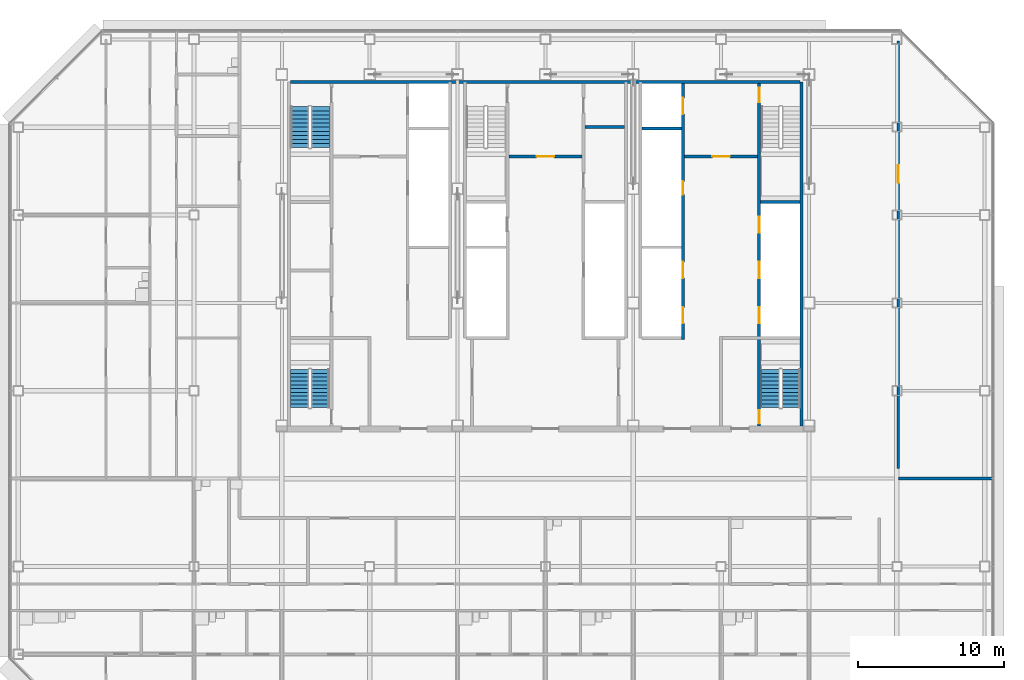
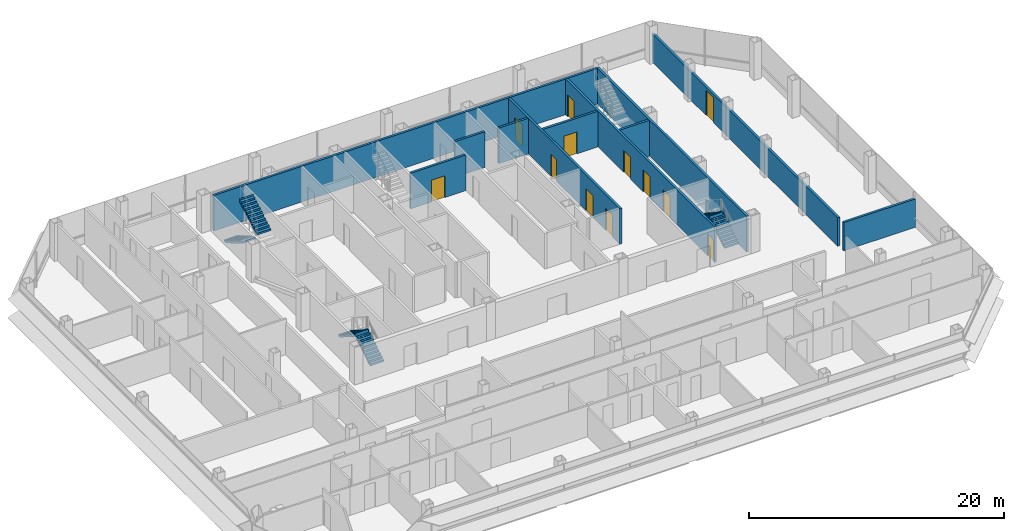
# One storey, part 24 of 27: 12 doors, 11 walls, 6 stair flights, 12 openings, 3 elements without a shape of their own.
"""IFC4 building model written with IfcOpenShell, lengths in metres."""

from ifc_helpers import new_model, si_unit, direction, frame, frame_2d, origin, place, context, subcontext, project, spatial, polyline, rectangle, outline, extrude, material, layer, layer_set, type_object, element, fill, aggregate, save


model = new_model("IFC4")

# Units and contexts
model_context = context("Model", 3, precision=1e-05, world=origin(), true_north=direction((0.0, 1.0)))
body_context = subcontext(model_context, "Body", "Model", "MODEL_VIEW")
ifc_project = project(units=[si_unit("LENGTHUNIT", "METRE"), si_unit("AREAUNIT", "SQUARE_METRE"), si_unit("VOLUMEUNIT", "CUBIC_METRE"), si_unit("PLANEANGLEUNIT", "RADIAN"), si_unit("MASSUNIT", "GRAM", prefix="KILO")], contexts=[model_context])

# Site, building, storey
site_placement = place(None, origin())
site = spatial("IfcSite", under=ifc_project, at=site_placement, CompositionType="ELEMENT")
building_placement = place(site_placement, origin())
building = spatial("IfcBuilding", under=site, at=building_placement, Name="Sorahane Residences", CompositionType="ELEMENT")
storey_placement = place(building_placement, frame((0.0, 0.0, 195.60009765625)))
storey = spatial("IfcBuildingStorey", under=building, at=storey_placement, Name="L45", CompositionType="ELEMENT", Elevation=195.60009765625)

# Walls
ifc_material_1 = material(Name="Concrete C30", Category="concrete")
ifc_layer_1 = layer(ifc_material_1, 0.199951171875)
ifc_layer_set_1 = layer_set([ifc_layer_1], Name="Core face wall 200 EI 180")
wall_type_1 = type_object("IfcWallType", Name="Core face wall 200 EI 180", PredefinedType="SOLIDWALL", material=ifc_layer_set_1)
wall_1_placement = place(storey_placement, frame((41.5, 21.60009765625, 0.0), z_axis=(0.0, 0.0, 1.0), x_axis=(0.0, 1.0, 0.0)))
element("IfcWall", 1, at=wall_1_placement, inside=storey, type_object=wall_type_1, Name="L45 core face wall", PredefinedType="SOLIDWALL", context=body_context, shape_type="SweptSolid", body=[
    extrude(rectangle(XDim=23.5, YDim=0.199951171875, at=frame_2d((11.75, 0.0))), origin(), (0.0, 0.0, 1.0), 3.419921875),
])
wall_2_placement = place(storey_placement, frame((6.60009765625, 45.10009765625, 0.0), z_axis=(0.0, 0.0, 1.0), x_axis=(1.0, 0.0, 0.0)))
element("IfcWall", 2, at=wall_2_placement, inside=storey, type_object=wall_type_1, Name="L45 core face wall", PredefinedType="SOLIDWALL", context=body_context, shape_type="SweptSolid", body=[
    extrude(rectangle(XDim=34.7998046875, YDim=0.199951171875, at=frame_2d((17.39990234375, 0.0))), origin(), (0.0, 0.0, 1.0), 3.419921875),
])

# Wall, opening, door
ifc_material_2 = material(Name="Concrete blockwork C20 wall", Category="masonry")
ifc_layer_2 = layer(ifc_material_2, 0.199951171875)
ifc_layer_set_2 = layer_set([ifc_layer_2], Name="Corridor wall 200 EI 120")
wall_type_2 = type_object("IfcWallType", Name="Corridor wall 200 EI 120", PredefinedType="SOLIDWALL", material=ifc_layer_set_2)
wall_3_placement = place(storey_placement, frame((48.10009765625, 18.699951171875, 0.0), z_axis=(0.0, 0.0, 1.0), x_axis=(0.0, 1.0, 0.0)))
wall_3 = element("IfcWall", 3, at=wall_3_placement, inside=storey, type_object=wall_type_2, Name="L45 corridor wall", PredefinedType="SOLIDWALL", context=body_context, shape_type="SweptSolid", body=[
    extrude(rectangle(XDim=29.199951171875, YDim=0.199951171875, at=frame_2d((14.60009765625, 0.0))), origin(), (0.0, 0.0, 1.0), 2.719970703125),
])
opening_1_placement = place(wall_3_placement, frame((19.5, 0.0, 0.0)))
opening_1 = element("IfcOpeningElement", 4, at=opening_1_placement, cuts=wall_3, Name="Opening L45-47", PredefinedType="OPENING", context=body_context, shape_type="SweptSolid", body=[
    extrude(rectangle(XDim=1.199951171875, YDim=2.39990234375, at=frame_2d((0.60009765625, 1.199951171875))), frame((0.0, 0.10986328125, 0.0), z_axis=(0.0, -1.0, 0.0), x_axis=(1.0, 0.0, 0.0)), (0.0, 0.0, 1.0), 0.219970703125),
])
ifc_material_3 = material(Name="Steel", Category="steel")
door_type_1 = type_object("IfcDoorType", Name="Lobby door 1200x2400 FD60", OperationType="NOTDEFINED", PredefinedType="DOOR", material=ifc_material_3)
door_1_placement = place(opening_1_placement, frame((1.199951171875, 0.0, 0.0), z_axis=(0.0, 0.0, 1.0), x_axis=(-1.0, 0.0, 0.0)))
door_1 = element("IfcDoor", 5, at=door_1_placement, inside=storey, type_object=door_type_1, Name="Lobby door L45-47", OperationType="SINGLE_SWING_RIGHT", OverallHeight=2.39990234375, OverallWidth=1.199951171875, PredefinedType="DOOR", context=body_context, shape_type="SweptSolid", body=[
    extrude(rectangle(XDim=1.199951171875, YDim=2.39990234375, at=frame_2d((0.60009765625, 1.199951171875))), frame((0.0, 0.02490234375, 0.0), z_axis=(0.0, -1.0, 0.0), x_axis=(1.0, 0.0, 0.0)), (0.0, 0.0, 1.0), 0.050048828125),
])
fill(opening_1, door_1)

# Wall
wall_4_placement = place(storey_placement, frame((48.10009765625, 18.0, 0.0), z_axis=(0.0, 0.0, 1.0), x_axis=(1.0, 0.0, 0.0)))
element("IfcWall", 6, at=wall_4_placement, inside=storey, type_object=wall_type_2, Name="L45 corridor wall", PredefinedType="SOLIDWALL", context=body_context, shape_type="SweptSolid", body=[
    extrude(rectangle(XDim=6.5, YDim=0.199951171875, at=frame_2d((3.25, 0.0))), origin(), (0.0, 0.0, 1.0), 2.719970703125),
])

# Wall, opening, door
ifc_material_4 = material(Name="Concrete C30", Category="concrete")
ifc_layer_3 = layer(ifc_material_4, 0.199951171875)
ifc_layer_set_3 = layer_set([ifc_layer_3], Name="Front room wall 200 EI 120")
wall_type_3 = type_object("IfcWallType", Name="Front room wall 200 EI 120", PredefinedType="PARTITIONING", material=ifc_layer_set_3)
wall_5_placement = place(storey_placement, frame((21.5, 40.0, 0.0), z_axis=(0.0, 0.0, 1.0), x_axis=(1.0, 0.0, 0.0)))
wall_5 = element("IfcWall", 7, at=wall_5_placement, inside=storey, type_object=wall_type_3, Name="L45 front room wall", PredefinedType="PARTITIONING", context=body_context, shape_type="SweptSolid", body=[
    extrude(rectangle(XDim=5.0, YDim=0.199951171875, at=frame_2d((2.5, 0.0))), origin(), (0.0, 0.0, 1.0), 3.419921875),
])
opening_2_placement = place(wall_5_placement, frame((1.89990234375, 0.0, 0.0)))
opening_2 = element("IfcOpeningElement", 8, at=opening_2_placement, cuts=wall_5, Name="Opening L45-C09", PredefinedType="OPENING", context=body_context, shape_type="SweptSolid", body=[
    extrude(rectangle(XDim=1.199951171875, YDim=2.10009765625, at=frame_2d((0.60009765625, 1.050048828125))), frame((0.0, 0.10986328125, 0.0), z_axis=(0.0, -1.0, 0.0), x_axis=(1.0, 0.0, 0.0)), (0.0, 0.0, 1.0), 0.219970703125),
])
ifc_material_5 = material(Name="Steel", Category="steel")
door_type_2 = type_object("IfcDoorType", Name="Front room door 1200x2100 FD120", OperationType="NOTDEFINED", PredefinedType="DOOR", material=ifc_material_5)
door_2_placement = place(opening_2_placement, frame((1.199951171875, 0.0, 0.0), z_axis=(0.0, 0.0, 1.0), x_axis=(-1.0, 0.0, 0.0)))
door_2 = element("IfcDoor", 9, at=door_2_placement, inside=storey, type_object=door_type_2, Name="Front room door Stair S3 vestibule L45", OperationType="DOUBLE_DOOR_SINGLE_SWING", OverallHeight=2.10009765625, OverallWidth=1.199951171875, PredefinedType="DOOR", context=body_context, shape_type="SweptSolid", body=[
    extrude(rectangle(XDim=1.199951171875, YDim=2.10009765625, at=frame_2d((0.60009765625, 1.050048828125))), frame((0.0, 0.02490234375, 0.0), z_axis=(0.0, -1.0, 0.0), x_axis=(1.0, 0.0, 0.0)), (0.0, 0.0, 1.0), 0.050048828125),
])
fill(opening_2, door_2)

wall_6_placement = place(storey_placement, frame((33.5, 40.0, 0.0), z_axis=(0.0, 0.0, 1.0), x_axis=(1.0, 0.0, 0.0)))
wall_6 = element("IfcWall", 10, at=wall_6_placement, inside=storey, type_object=wall_type_3, Name="L45 front room wall", PredefinedType="PARTITIONING", context=body_context, shape_type="SweptSolid", body=[
    extrude(rectangle(XDim=5.0, YDim=0.199951171875, at=frame_2d((2.5, 0.0))), origin(), (0.0, 0.0, 1.0), 3.419921875),
])
opening_3_placement = place(wall_6_placement, frame((1.89990234375, 0.0, 0.0)))
opening_3 = element("IfcOpeningElement", 11, at=opening_3_placement, cuts=wall_6, Name="Opening L45-C10", PredefinedType="OPENING", context=body_context, shape_type="SweptSolid", body=[
    extrude(rectangle(XDim=1.199951171875, YDim=2.10009765625, at=frame_2d((0.60009765625, 1.050048828125))), frame((0.0, 0.10986328125, 0.0), z_axis=(0.0, -1.0, 0.0), x_axis=(1.0, 0.0, 0.0)), (0.0, 0.0, 1.0), 0.219970703125),
])
door_3_placement = place(opening_3_placement, frame((1.199951171875, 0.0, 0.0), z_axis=(0.0, 0.0, 1.0), x_axis=(-1.0, 0.0, 0.0)))
door_3 = element("IfcDoor", 12, at=door_3_placement, inside=storey, type_object=door_type_2, Name="Front room door Firefighting lobby FF2 front room L45", OperationType="DOUBLE_DOOR_SINGLE_SWING", OverallHeight=2.10009765625, OverallWidth=1.199951171875, PredefinedType="DOOR", context=body_context, shape_type="SweptSolid", body=[
    extrude(rectangle(XDim=1.199951171875, YDim=2.10009765625, at=frame_2d((0.60009765625, 1.050048828125))), frame((0.0, 0.02490234375, 0.0), z_axis=(0.0, -1.0, 0.0), x_axis=(1.0, 0.0, 0.0)), (0.0, 0.0, 1.0), 0.050048828125),
])
fill(opening_3, door_3)

# Wall, openings, doors
ifc_material_6 = material(Name="Concrete C30", Category="concrete")
ifc_layer_4 = layer(ifc_material_6, 0.199951171875)
ifc_layer_set_4 = layer_set([ifc_layer_4], Name="Lift shaft wall 200 EI 120")
wall_type_4 = type_object("IfcWallType", Name="Lift shaft wall 200 EI 120", PredefinedType="SOLIDWALL", material=ifc_layer_set_4)
wall_7_placement = place(storey_placement, frame((33.39990234375, 27.5, 0.0), z_axis=(0.0, 0.0, 1.0), x_axis=(0.0, 1.0, 0.0)))
wall_7 = element("IfcWall", 13, at=wall_7_placement, inside=storey, type_object=wall_type_4, Name="L45 lift shaft wall", PredefinedType="SOLIDWALL", context=body_context, shape_type="SweptSolid", body=[
    extrude(rectangle(XDim=17.5, YDim=0.199951171875, at=frame_2d((8.75, 0.0))), origin(), (0.0, 0.0, 1.0), 3.419921875),
])
opening_4_placement = place(wall_7_placement, frame((1.10009765625, 0.0, 0.0)))
opening_4 = element("IfcOpeningElement", 14, at=opening_4_placement, cuts=wall_7, Name="Opening L45-C14", PredefinedType="OPENING", context=body_context, shape_type="SweptSolid", body=[
    extrude(rectangle(XDim=1.10009765625, YDim=2.10009765625, at=frame_2d((0.550048828125, 1.050048828125))), frame((0.0, 0.10986328125, 0.0), z_axis=(0.0, -1.0, 0.0), x_axis=(1.0, 0.0, 0.0)), (0.0, 0.0, 1.0), 0.219970703125),
])
opening_5_placement = place(wall_7_placement, frame((4.199951171875, 0.0, 0.0)))
opening_5 = element("IfcOpeningElement", 15, at=opening_5_placement, cuts=wall_7, Name="Opening L45-C15", PredefinedType="OPENING", context=body_context, shape_type="SweptSolid", body=[
    extrude(rectangle(XDim=1.10009765625, YDim=2.10009765625, at=frame_2d((0.550048828125, 1.050048828125))), frame((0.0, 0.10986328125, 0.0), z_axis=(0.0, -1.0, 0.0), x_axis=(1.0, 0.0, 0.0)), (0.0, 0.0, 1.0), 0.219970703125),
])
opening_6_placement = place(wall_7_placement, frame((15.39990234375, 0.0, 0.0)))
opening_6 = element("IfcOpeningElement", 16, at=opening_6_placement, cuts=wall_7, Name="Opening L45-C16", PredefinedType="OPENING", context=body_context, shape_type="SweptSolid", body=[
    extrude(rectangle(XDim=1.10009765625, YDim=2.10009765625, at=frame_2d((0.550048828125, 1.050048828125))), frame((0.0, 0.10986328125, 0.0), z_axis=(0.0, -1.0, 0.0), x_axis=(1.0, 0.0, 0.0)), (0.0, 0.0, 1.0), 0.219970703125),
])
opening_7_placement = place(wall_7_placement, frame((9.89990234375, 0.0, 0.0)))
opening_7 = element("IfcOpeningElement", 17, at=opening_7_placement, cuts=wall_7, Name="Opening L45-C27", PredefinedType="OPENING", context=body_context, shape_type="SweptSolid", body=[
    extrude(rectangle(XDim=0.89990234375, YDim=2.10009765625, at=frame_2d((0.449951171875, 1.050048828125))), frame((0.0, 0.10986328125, 0.0), z_axis=(0.0, -1.0, 0.0), x_axis=(1.0, 0.0, 0.0)), (0.0, 0.0, 1.0), 0.219970703125),
])
ifc_material_7 = material(Name="Aluminium and stainless steel", Category="steel")
door_type_3 = type_object("IfcDoorType", Name="Lift landing door 1100x2100 E 60", OperationType="NOTDEFINED", PredefinedType="DOOR", material=ifc_material_7)
door_4_placement = place(opening_4_placement, origin())
door_4 = element("IfcDoor", 18, at=door_4_placement, inside=storey, type_object=door_type_3, Name="Lift landing door HR4 L45", OperationType="DOUBLE_DOOR_SLIDING", OverallHeight=2.10009765625, OverallWidth=1.10009765625, PredefinedType="DOOR", context=body_context, shape_type="SweptSolid", body=[
    extrude(rectangle(XDim=1.10009765625, YDim=2.10009765625, at=frame_2d((0.550048828125, 1.050048828125))), frame((0.0, 0.02490234375, 0.0), z_axis=(0.0, -1.0, 0.0), x_axis=(1.0, 0.0, 0.0)), (0.0, 0.0, 1.0), 0.050048828125),
])
fill(opening_4, door_4)
door_5_placement = place(opening_5_placement, origin())
door_5 = element("IfcDoor", 19, at=door_5_placement, inside=storey, type_object=door_type_3, Name="Lift landing door HR5 L45", OperationType="DOUBLE_DOOR_SLIDING", OverallHeight=2.10009765625, OverallWidth=1.10009765625, PredefinedType="DOOR", context=body_context, shape_type="SweptSolid", body=[
    extrude(rectangle(XDim=1.10009765625, YDim=2.10009765625, at=frame_2d((0.550048828125, 1.050048828125))), frame((0.0, 0.02490234375, 0.0), z_axis=(0.0, -1.0, 0.0), x_axis=(1.0, 0.0, 0.0)), (0.0, 0.0, 1.0), 0.050048828125),
])
fill(opening_5, door_5)
door_6_placement = place(opening_6_placement, origin())
door_6 = element("IfcDoor", 20, at=door_6_placement, inside=storey, type_object=door_type_3, Name="Lift landing door FF2 L45", OperationType="DOUBLE_DOOR_SLIDING", OverallHeight=2.10009765625, OverallWidth=1.10009765625, PredefinedType="DOOR", context=body_context, shape_type="SweptSolid", body=[
    extrude(rectangle(XDim=1.10009765625, YDim=2.10009765625, at=frame_2d((0.550048828125, 1.050048828125))), frame((0.0, 0.02490234375, 0.0), z_axis=(0.0, -1.0, 0.0), x_axis=(1.0, 0.0, 0.0)), (0.0, 0.0, 1.0), 0.050048828125),
])
fill(opening_6, door_6)
ifc_material_8 = material(Name="Steel", Category="steel")
door_type_4 = type_object("IfcDoorType", Name="Riser door 900x2100 FD120", OperationType="NOTDEFINED", PredefinedType="DOOR", material=ifc_material_8)
door_7_placement = place(opening_7_placement, frame((0.89990234375, 0.0, 0.0), z_axis=(0.0, 0.0, 1.0), x_axis=(-1.0, 0.0, 0.0)))
door_7 = element("IfcDoor", 21, at=door_7_placement, inside=storey, type_object=door_type_4, Name="Riser door R2 L45", OperationType="SINGLE_SWING_LEFT", OverallHeight=2.10009765625, OverallWidth=0.89990234375, PredefinedType="DOOR", context=body_context, shape_type="SweptSolid", body=[
    extrude(rectangle(XDim=0.89990234375, YDim=2.10009765625, at=frame_2d((0.449951171875, 1.050048828125))), frame((0.0, 0.02490234375, 0.0), z_axis=(0.0, -1.0, 0.0), x_axis=(1.0, 0.0, 0.0)), (0.0, 0.0, 1.0), 0.050048828125),
])
fill(opening_7, door_7)

# Walls
wall_8_placement = place(storey_placement, frame((30.60009765625, 41.89990234375, 0.0), z_axis=(0.0, 0.0, 1.0), x_axis=(1.0, 0.0, 0.0)))
element("IfcWall", 22, at=wall_8_placement, inside=storey, type_object=wall_type_4, Name="L45 lift shaft wall", PredefinedType="SOLIDWALL", context=body_context, shape_type="SweptSolid", body=[
    extrude(rectangle(XDim=2.699951171875, YDim=0.199951171875, at=frame_2d((1.35009765625, 0.0))), origin(), (0.0, 0.0, 1.0), 3.419921875),
])
ifc_material_9 = material(Name="Concrete C30", Category="concrete")
ifc_layer_5 = layer(ifc_material_9, 0.199951171875)
ifc_layer_set_5 = layer_set([ifc_layer_5], Name="Service room partition 200 EI 60")
wall_type_5 = type_object("IfcWallType", Name="Service room partition 200 EI 60", PredefinedType="PARTITIONING", material=ifc_layer_set_5)
wall_9_placement = place(storey_placement, frame((26.699951171875, 42.0, 0.0), z_axis=(0.0, 0.0, 1.0), x_axis=(1.0, 0.0, 0.0)))
element("IfcWall", 23, at=wall_9_placement, inside=storey, type_object=wall_type_5, Name="L45 service room wall", PredefinedType="PARTITIONING", context=body_context, shape_type="SweptSolid", body=[
    extrude(rectangle(XDim=2.699951171875, YDim=0.199951171875, at=frame_2d((1.35009765625, 0.0))), origin(), (0.0, 0.0, 1.0), 3.419921875),
])

# Wall, openings, doors
ifc_material_10 = material(Name="Concrete C30", Category="concrete")
ifc_layer_6 = layer(ifc_material_10, 0.199951171875)
ifc_layer_set_6 = layer_set([ifc_layer_6], Name="Stair enclosure wall 200 EI 120")
wall_type_6 = type_object("IfcWallType", Name="Stair enclosure wall 200 EI 120", PredefinedType="SOLIDWALL", material=ifc_layer_set_6)
wall_10_placement = place(storey_placement, frame((38.60009765625, 21.60009765625, 0.0), z_axis=(0.0, 0.0, 1.0), x_axis=(0.0, 1.0, 0.0)))
wall_10 = element("IfcWall", 24, at=wall_10_placement, inside=storey, type_object=wall_type_6, Name="L45 stair enclosure wall", PredefinedType="SOLIDWALL", context=body_context, shape_type="SweptSolid", body=[
    extrude(rectangle(XDim=23.39990234375, YDim=0.199951171875, at=frame_2d((11.699951171875, 0.0))), origin(), (0.0, 0.0, 1.0), 3.419921875),
])
opening_8_placement = place(wall_10_placement, frame((7.0, 0.0, 0.0)))
opening_8 = element("IfcOpeningElement", 25, at=opening_8_placement, cuts=wall_10, Name="Opening L45-C11", PredefinedType="OPENING", context=body_context, shape_type="SweptSolid", body=[
    extrude(rectangle(XDim=1.10009765625, YDim=2.10009765625, at=frame_2d((0.550048828125, 1.050048828125))), frame((0.0, 0.10986328125, 0.0), z_axis=(0.0, -1.0, 0.0), x_axis=(1.0, 0.0, 0.0)), (0.0, 0.0, 1.0), 0.219970703125),
])
opening_9_placement = place(wall_10_placement, frame((10.10009765625, 0.0, 0.0)))
opening_9 = element("IfcOpeningElement", 26, at=opening_9_placement, cuts=wall_10, Name="Opening L45-C12", PredefinedType="OPENING", context=body_context, shape_type="SweptSolid", body=[
    extrude(rectangle(XDim=1.10009765625, YDim=2.10009765625, at=frame_2d((0.550048828125, 1.050048828125))), frame((0.0, 0.10986328125, 0.0), z_axis=(0.0, -1.0, 0.0), x_axis=(1.0, 0.0, 0.0)), (0.0, 0.0, 1.0), 0.219970703125),
])
opening_10_placement = place(wall_10_placement, frame((13.199951171875, 0.0, 0.0)))
opening_10 = element("IfcOpeningElement", 27, at=opening_10_placement, cuts=wall_10, Name="Opening L45-C13", PredefinedType="OPENING", context=body_context, shape_type="SweptSolid", body=[
    extrude(rectangle(XDim=1.10009765625, YDim=2.10009765625, at=frame_2d((0.550048828125, 1.050048828125))), frame((0.0, 0.10986328125, 0.0), z_axis=(0.0, -1.0, 0.0), x_axis=(1.0, 0.0, 0.0)), (0.0, 0.0, 1.0), 0.219970703125),
])
opening_11_placement = place(wall_10_placement, frame((22.10009765625, 0.0, 0.0)))
opening_11 = element("IfcOpeningElement", 28, at=opening_11_placement, cuts=wall_10, Name="Opening L45-C22", PredefinedType="OPENING", context=body_context, shape_type="SweptSolid", body=[
    extrude(rectangle(XDim=1.0, YDim=2.10009765625, at=frame_2d((0.5, 1.050048828125))), frame((0.0, 0.10986328125, 0.0), z_axis=(0.0, -1.0, 0.0), x_axis=(1.0, 0.0, 0.0)), (0.0, 0.0, 1.0), 0.219970703125),
])
opening_12_placement = place(wall_10_placement, frame((0.175048828125, 0.0, 0.0)))
opening_12 = element("IfcOpeningElement", 29, at=opening_12_placement, cuts=wall_10, Name="Opening L45-C25", PredefinedType="OPENING", context=body_context, shape_type="SweptSolid", body=[
    extrude(rectangle(XDim=0.89990234375, YDim=2.10009765625, at=frame_2d((0.449951171875, 1.050048828125))), frame((0.0, 0.10986328125, 0.0), z_axis=(0.0, -1.0, 0.0), x_axis=(1.0, 0.0, 0.0)), (0.0, 0.0, 1.0), 0.219970703125),
])
door_8_placement = place(opening_8_placement, origin())
door_8 = element("IfcDoor", 30, at=door_8_placement, inside=storey, type_object=door_type_3, Name="Lift landing door HR1 L45", OperationType="DOUBLE_DOOR_SLIDING", OverallHeight=2.10009765625, OverallWidth=1.10009765625, PredefinedType="DOOR", context=body_context, shape_type="SweptSolid", body=[
    extrude(rectangle(XDim=1.10009765625, YDim=2.10009765625, at=frame_2d((0.550048828125, 1.050048828125))), frame((0.0, 0.02490234375, 0.0), z_axis=(0.0, -1.0, 0.0), x_axis=(1.0, 0.0, 0.0)), (0.0, 0.0, 1.0), 0.050048828125),
])
fill(opening_8, door_8)
door_9_placement = place(opening_9_placement, origin())
door_9 = element("IfcDoor", 31, at=door_9_placement, inside=storey, type_object=door_type_3, Name="Lift landing door HR2 L45", OperationType="DOUBLE_DOOR_SLIDING", OverallHeight=2.10009765625, OverallWidth=1.10009765625, PredefinedType="DOOR", context=body_context, shape_type="SweptSolid", body=[
    extrude(rectangle(XDim=1.10009765625, YDim=2.10009765625, at=frame_2d((0.550048828125, 1.050048828125))), frame((0.0, 0.02490234375, 0.0), z_axis=(0.0, -1.0, 0.0), x_axis=(1.0, 0.0, 0.0)), (0.0, 0.0, 1.0), 0.050048828125),
])
fill(opening_9, door_9)
door_10_placement = place(opening_10_placement, origin())
door_10 = element("IfcDoor", 32, at=door_10_placement, inside=storey, type_object=door_type_3, Name="Lift landing door HR3 L45", OperationType="DOUBLE_DOOR_SLIDING", OverallHeight=2.10009765625, OverallWidth=1.10009765625, PredefinedType="DOOR", context=body_context, shape_type="SweptSolid", body=[
    extrude(rectangle(XDim=1.10009765625, YDim=2.10009765625, at=frame_2d((0.550048828125, 1.050048828125))), frame((0.0, 0.02490234375, 0.0), z_axis=(0.0, -1.0, 0.0), x_axis=(1.0, 0.0, 0.0)), (0.0, 0.0, 1.0), 0.050048828125),
])
fill(opening_10, door_10)
ifc_material_11 = material(Name="Steel", Category="steel")
door_type_5 = type_object("IfcDoorType", Name="Stair door 1000x2100 FD120", OperationType="NOTDEFINED", PredefinedType="DOOR", material=ifc_material_11)
door_11_placement = place(opening_11_placement, frame((1.0, 0.0, 0.0), z_axis=(0.0, 0.0, 1.0), x_axis=(-1.0, 0.0, 0.0)))
door_11 = element("IfcDoor", 33, at=door_11_placement, inside=storey, type_object=door_type_5, Name="Stair door S2 L45", OperationType="SINGLE_SWING_LEFT", OverallHeight=2.10009765625, OverallWidth=1.0, PredefinedType="DOOR", context=body_context, shape_type="SweptSolid", body=[
    extrude(rectangle(XDim=1.0, YDim=2.10009765625, at=frame_2d((0.5, 1.050048828125))), frame((0.0, 0.02490234375, 0.0), z_axis=(0.0, -1.0, 0.0), x_axis=(1.0, 0.0, 0.0)), (0.0, 0.0, 1.0), 0.050048828125),
])
fill(opening_11, door_11)
ifc_material_12 = material(Name="Steel", Category="steel")
door_type_6 = type_object("IfcDoorType", Name="Stair door 900x2100 FD120", OperationType="NOTDEFINED", PredefinedType="DOOR", material=ifc_material_12)
door_12_placement = place(opening_12_placement, frame((0.89990234375, 0.0, 0.0), z_axis=(0.0, 0.0, 1.0), x_axis=(-1.0, 0.0, 0.0)))
door_12 = element("IfcDoor", 34, at=door_12_placement, inside=storey, type_object=door_type_6, Name="Stair door S5 L45", OperationType="SINGLE_SWING_LEFT", OverallHeight=2.10009765625, OverallWidth=0.89990234375, PredefinedType="DOOR", context=body_context, shape_type="SweptSolid", body=[
    extrude(rectangle(XDim=0.89990234375, YDim=2.10009765625, at=frame_2d((0.449951171875, 1.050048828125))), frame((0.0, 0.02490234375, 0.0), z_axis=(0.0, -1.0, 0.0), x_axis=(1.0, 0.0, 0.0)), (0.0, 0.0, 1.0), 0.050048828125),
])
fill(opening_12, door_12)

# Wall
wall_11_placement = place(storey_placement, frame((38.699951171875, 36.89990234375, 0.0), z_axis=(0.0, 0.0, 1.0), x_axis=(1.0, 0.0, 0.0)))
element("IfcWall", 35, at=wall_11_placement, inside=storey, type_object=wall_type_6, Name="L45 stair enclosure wall", PredefinedType="SOLIDWALL", context=body_context, shape_type="SweptSolid", body=[
    extrude(rectangle(XDim=2.699951171875, YDim=0.199951171875, at=frame_2d((1.35009765625, 0.0))), origin(), (0.0, 0.0, 1.0), 3.419921875),
])

# Stair, stair flights
ifc_material_13 = material(Name="Concrete C40", Category="concrete")
stair_type = type_object("IfcStairType", Name="Dog-leg stair 1250 Concrete C40", PredefinedType="HALF_TURN_STAIR", material=ifc_material_13)
stair_1_placement = place(storey_placement, origin())
stair_1 = element("IfcStair", 36, at=stair_1_placement, inside=storey, type_object=stair_type, Name="L45 Stair S1", PredefinedType="HALF_TURN_STAIR")
ifc_material_14 = material(Name="Concrete C40", Category="concrete")
stair_flight_type = type_object("IfcStairFlightType", Name="Stair flight 1250 Concrete C40", PredefinedType="STRAIGHT", material=ifc_material_14)
stair_flight_1_placement = place(storey_placement, frame((7.22509765625, 43.39990234375, 0.0), z_axis=(0.0, 0.0, 1.0), x_axis=(0.0, -1.0, 0.0)))
stair_flight_1 = element("IfcStairFlight", 37, at=stair_flight_1_placement, type_object=stair_flight_type, Name="S1 flight 1", NumberOfRisers=11, NumberOfTreads=10, PredefinedType="STRAIGHT", RiserHeight=0.163636364, TreadLength=0.28, context=body_context, shape_type="SweptSolid", body=[
    extrude(outline(polyline([(-0.00146484375, 0.0), (-0.00146484375, 0.16357421875), (0.0, 0.16357421875), (0.280029296875, 0.16357421875), (0.280029296875, 0.327392578125), (0.56005859375, 0.327392578125), (0.56005859375, 0.490966796875), (0.840087890625, 0.490966796875), (0.840087890625, 0.654541015625), (1.1201171875, 0.654541015625), (1.1201171875, 0.818115234375), (1.39990234375, 0.818115234375), (1.39990234375, 0.98193359375), (1.679931640625, 0.98193359375), (1.679931640625, 1.1455078125), (1.9599609375, 1.1455078125), (1.9599609375, 1.30908203125), (2.239990234375, 1.30908203125), (2.239990234375, 1.47265625), (2.52001953125, 1.47265625), (2.52001953125, 1.636474609375), (2.800048828125, 1.636474609375), (2.800048828125, 1.800048828125), (2.800048828125, 1.462646484375), (2.59130859375, 1.3408203125), (2.3828125, 1.218994140625), (2.17431640625, 1.09716796875), (1.965576171875, 0.97509765625), (1.757080078125, 0.853271484375), (1.548583984375, 0.7314453125), (1.340087890625, 0.609375), (1.13134765625, 0.487548828125), (0.9228515625, 0.36572265625), (0.71435546875, 0.243896484375), (0.505615234375, 0.121826171875), (0.297119140625, 0.0), (-0.00146484375, 0.0)])), frame((0.0, 0.625, 0.0), z_axis=(0.0, -1.0, 0.0), x_axis=(1.0, 0.0, 0.0)), (0.0, 0.0, 1.0), 1.25),
])
stair_flight_2_placement = place(storey_placement, frame((8.625, 40.60009765625, 1.7998046875), z_axis=(0.0, 0.0, 1.0), x_axis=(0.0, 1.0, 0.0)))
stair_flight_2 = element("IfcStairFlight", 38, at=stair_flight_2_placement, type_object=stair_flight_type, Name="S1 flight 2", NumberOfRisers=11, NumberOfTreads=10, PredefinedType="STRAIGHT", RiserHeight=0.163636364, TreadLength=0.28, context=body_context, shape_type="SweptSolid", body=[
    extrude(outline(polyline([(0.0, 0.0), (0.0, 0.16357421875), (0.280029296875, 0.16357421875), (0.280029296875, 0.327392578125), (0.56005859375, 0.327392578125), (0.56005859375, 0.490966796875), (0.840087890625, 0.490966796875), (0.840087890625, 0.654541015625), (1.1201171875, 0.654541015625), (1.1201171875, 0.818115234375), (1.39990234375, 0.818115234375), (1.39990234375, 0.98193359375), (1.679931640625, 0.98193359375), (1.679931640625, 1.1455078125), (1.9599609375, 1.1455078125), (1.9599609375, 1.30908203125), (2.239990234375, 1.30908203125), (2.239990234375, 1.47265625), (2.52001953125, 1.47265625), (2.52001953125, 1.636474609375), (2.800048828125, 1.636474609375), (2.800048828125, 1.800048828125), (2.801513671875, 1.800048828125), (2.801513671875, 1.462646484375), (2.5927734375, 1.3408203125), (2.384033203125, 1.218994140625), (2.17529296875, 1.09716796875), (1.966796875, 0.97509765625), (1.758056640625, 0.853271484375), (1.54931640625, 0.7314453125), (1.340576171875, 0.609375), (1.1318359375, 0.487548828125), (0.923095703125, 0.36572265625), (0.714599609375, 0.243896484375), (0.505859375, 0.121826171875), (0.297119140625, 0.0), (0.0, 0.0)])), frame((0.0, 0.625, 0.0), z_axis=(0.0, -1.0, 0.0), x_axis=(1.0, 0.0, 0.0)), (0.0, 0.0, 1.0), 1.25),
])
aggregate(stair_1, [stair_flight_1, stair_flight_2])

stair_2_placement = place(storey_placement, origin())
stair_2 = element("IfcStair", 39, at=stair_2_placement, inside=storey, type_object=stair_type, Name="L45 Stair S4", PredefinedType="HALF_TURN_STAIR")
stair_flight_3_placement = place(storey_placement, frame((8.625, 22.85009765625, 0.0), z_axis=(0.0, 0.0, 1.0), x_axis=(0.0, 1.0, 0.0)))
stair_flight_3 = element("IfcStairFlight", 40, at=stair_flight_3_placement, type_object=stair_flight_type, Name="S4 flight 1", NumberOfRisers=11, NumberOfTreads=10, PredefinedType="STRAIGHT", RiserHeight=0.163636364, TreadLength=0.26, context=body_context, shape_type="SweptSolid", body=[
    extrude(outline(polyline([(-0.00146484375, 0.0), (-0.00146484375, 0.16357421875), (0.0, 0.16357421875), (0.260009765625, 0.16357421875), (0.260009765625, 0.327392578125), (0.52001953125, 0.327392578125), (0.52001953125, 0.490966796875), (0.780029296875, 0.490966796875), (0.780029296875, 0.654541015625), (1.0400390625, 0.654541015625), (1.0400390625, 0.818115234375), (1.300048828125, 0.818115234375), (1.300048828125, 0.98193359375), (1.56005859375, 0.98193359375), (1.56005859375, 1.1455078125), (1.820068359375, 1.1455078125), (1.820068359375, 1.30908203125), (2.080078125, 1.30908203125), (2.080078125, 1.47265625), (2.340087890625, 1.47265625), (2.340087890625, 1.636474609375), (2.60009765625, 1.636474609375), (2.60009765625, 1.800048828125), (2.60009765625, 1.494384765625), (2.402099609375, 1.369873046875), (2.204345703125, 1.245361328125), (2.00634765625, 1.120849609375), (1.80859375, 0.996337890625), (1.610595703125, 0.871826171875), (1.412841796875, 0.747314453125), (1.21484375, 0.622802734375), (1.01708984375, 0.498046875), (0.819091796875, 0.37353515625), (0.621337890625, 0.2490234375), (0.42333984375, 0.12451171875), (0.2255859375, 0.0), (-0.00146484375, 0.0)])), frame((0.0, 0.625, 0.0), z_axis=(0.0, -1.0, 0.0), x_axis=(1.0, 0.0, 0.0)), (0.0, 0.0, 1.0), 1.25),
])
stair_flight_4_placement = place(storey_placement, frame((7.22509765625, 25.449951171875, 1.7998046875), z_axis=(0.0, 0.0, 1.0), x_axis=(0.0, -1.0, 0.0)))
stair_flight_4 = element("IfcStairFlight", 41, at=stair_flight_4_placement, type_object=stair_flight_type, Name="S4 flight 2", NumberOfRisers=11, NumberOfTreads=10, PredefinedType="STRAIGHT", RiserHeight=0.163636364, TreadLength=0.26, context=body_context, shape_type="SweptSolid", body=[
    extrude(outline(polyline([(0.0, 0.0), (0.0, 0.16357421875), (0.260009765625, 0.16357421875), (0.260009765625, 0.327392578125), (0.52001953125, 0.327392578125), (0.52001953125, 0.490966796875), (0.780029296875, 0.490966796875), (0.780029296875, 0.654541015625), (1.0400390625, 0.654541015625), (1.0400390625, 0.818115234375), (1.300048828125, 0.818115234375), (1.300048828125, 0.98193359375), (1.56005859375, 0.98193359375), (1.56005859375, 1.1455078125), (1.820068359375, 1.1455078125), (1.820068359375, 1.30908203125), (2.080078125, 1.30908203125), (2.080078125, 1.47265625), (2.340087890625, 1.47265625), (2.340087890625, 1.636474609375), (2.60009765625, 1.636474609375), (2.60009765625, 1.800048828125), (2.6015625, 1.800048828125), (2.6015625, 1.494384765625), (2.403564453125, 1.369873046875), (2.20556640625, 1.245361328125), (2.007568359375, 1.120849609375), (1.8095703125, 0.996337890625), (1.611572265625, 0.871826171875), (1.41357421875, 0.747314453125), (1.215576171875, 0.622802734375), (1.017578125, 0.498046875), (0.819580078125, 0.37353515625), (0.62158203125, 0.2490234375), (0.423583984375, 0.12451171875), (0.2255859375, 0.0), (0.0, 0.0)])), frame((0.0, 0.625, 0.0), z_axis=(0.0, -1.0, 0.0), x_axis=(1.0, 0.0, 0.0)), (0.0, 0.0, 1.0), 1.25),
])
aggregate(stair_2, [stair_flight_3, stair_flight_4])

stair_3_placement = place(storey_placement, origin())
stair_3 = element("IfcStair", 42, at=stair_3_placement, inside=storey, type_object=stair_type, Name="L45 Stair S5", PredefinedType="HALF_TURN_STAIR")
stair_flight_5_placement = place(storey_placement, frame((40.77490234375, 22.85009765625, 0.0), z_axis=(0.0, 0.0, 1.0), x_axis=(0.0, 1.0, 0.0)))
stair_flight_5 = element("IfcStairFlight", 43, at=stair_flight_5_placement, type_object=stair_flight_type, Name="S5 flight 1", NumberOfRisers=11, NumberOfTreads=10, PredefinedType="STRAIGHT", RiserHeight=0.163636364, TreadLength=0.26, context=body_context, shape_type="SweptSolid", body=[
    extrude(outline(polyline([(-0.00146484375, 0.0), (-0.00146484375, 0.16357421875), (0.0, 0.16357421875), (0.260009765625, 0.16357421875), (0.260009765625, 0.327392578125), (0.52001953125, 0.327392578125), (0.52001953125, 0.490966796875), (0.780029296875, 0.490966796875), (0.780029296875, 0.654541015625), (1.0400390625, 0.654541015625), (1.0400390625, 0.818115234375), (1.300048828125, 0.818115234375), (1.300048828125, 0.98193359375), (1.56005859375, 0.98193359375), (1.56005859375, 1.1455078125), (1.820068359375, 1.1455078125), (1.820068359375, 1.30908203125), (2.080078125, 1.30908203125), (2.080078125, 1.47265625), (2.340087890625, 1.47265625), (2.340087890625, 1.636474609375), (2.60009765625, 1.636474609375), (2.60009765625, 1.800048828125), (2.60009765625, 1.494384765625), (2.402099609375, 1.369873046875), (2.204345703125, 1.245361328125), (2.00634765625, 1.120849609375), (1.80859375, 0.996337890625), (1.610595703125, 0.871826171875), (1.412841796875, 0.747314453125), (1.21484375, 0.622802734375), (1.01708984375, 0.498046875), (0.819091796875, 0.37353515625), (0.621337890625, 0.2490234375), (0.42333984375, 0.12451171875), (0.2255859375, 0.0), (-0.00146484375, 0.0)])), frame((0.0, 0.625, 0.0), z_axis=(0.0, -1.0, 0.0), x_axis=(1.0, 0.0, 0.0)), (0.0, 0.0, 1.0), 1.25),
])
stair_flight_6_placement = place(storey_placement, frame((39.375, 25.449951171875, 1.7998046875), z_axis=(0.0, 0.0, 1.0), x_axis=(0.0, -1.0, 0.0)))
stair_flight_6 = element("IfcStairFlight", 44, at=stair_flight_6_placement, type_object=stair_flight_type, Name="S5 flight 2", NumberOfRisers=11, NumberOfTreads=10, PredefinedType="STRAIGHT", RiserHeight=0.163636364, TreadLength=0.26, context=body_context, shape_type="SweptSolid", body=[
    extrude(outline(polyline([(0.0, 0.0), (0.0, 0.16357421875), (0.260009765625, 0.16357421875), (0.260009765625, 0.327392578125), (0.52001953125, 0.327392578125), (0.52001953125, 0.490966796875), (0.780029296875, 0.490966796875), (0.780029296875, 0.654541015625), (1.0400390625, 0.654541015625), (1.0400390625, 0.818115234375), (1.300048828125, 0.818115234375), (1.300048828125, 0.98193359375), (1.56005859375, 0.98193359375), (1.56005859375, 1.1455078125), (1.820068359375, 1.1455078125), (1.820068359375, 1.30908203125), (2.080078125, 1.30908203125), (2.080078125, 1.47265625), (2.340087890625, 1.47265625), (2.340087890625, 1.636474609375), (2.60009765625, 1.636474609375), (2.60009765625, 1.800048828125), (2.6015625, 1.800048828125), (2.6015625, 1.494384765625), (2.403564453125, 1.369873046875), (2.20556640625, 1.245361328125), (2.007568359375, 1.120849609375), (1.8095703125, 0.996337890625), (1.611572265625, 0.871826171875), (1.41357421875, 0.747314453125), (1.215576171875, 0.622802734375), (1.017578125, 0.498046875), (0.819580078125, 0.37353515625), (0.62158203125, 0.2490234375), (0.423583984375, 0.12451171875), (0.2255859375, 0.0), (0.0, 0.0)])), frame((0.0, 0.625, 0.0), z_axis=(0.0, -1.0, 0.0), x_axis=(1.0, 0.0, 0.0)), (0.0, 0.0, 1.0), 1.25),
])
aggregate(stair_3, [stair_flight_5, stair_flight_6])

save(model, "model.ifc")
